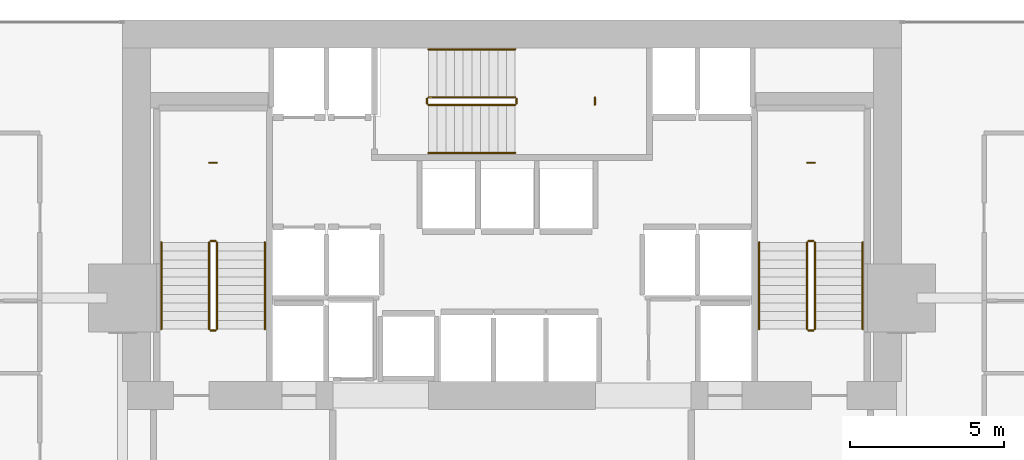
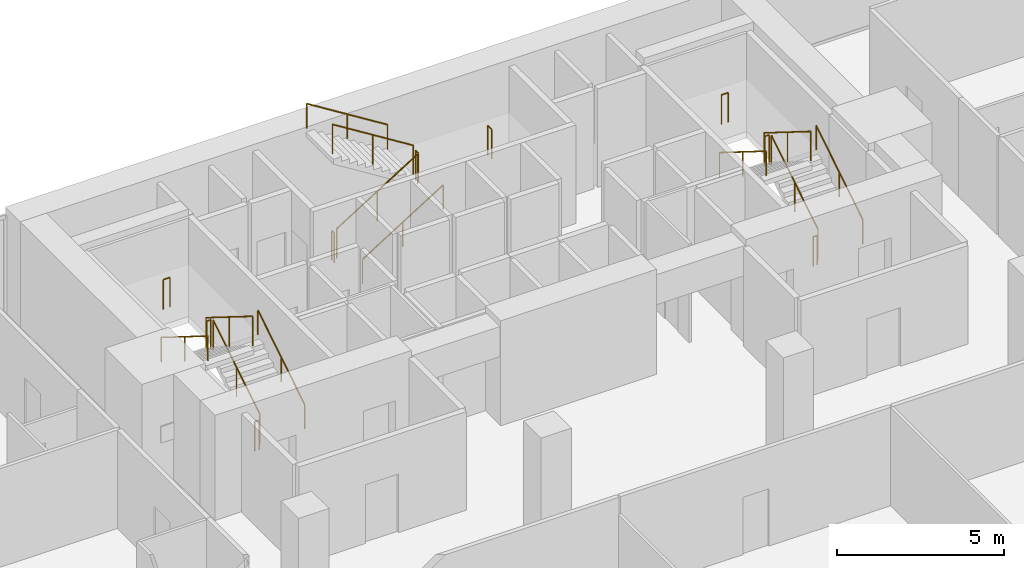
# One storey, part 40 of 40: 21 railings.
"""IFC4 building model written with IfcOpenShell, lengths in metres."""

from ifc_helpers import new_model, si_unit, direction, frame, origin, origin_2d, place, context, subcontext, project, spatial, circle, extrude, material, type_object, element, save


model = new_model("IFC4")

# Units and contexts
model_context = context("Model", 3, precision=1e-05, world=origin(), true_north=direction((0.0, 1.0)))
body_context = subcontext(model_context, "Body", "Model", "MODEL_VIEW")
ifc_project = project(units=[si_unit("LENGTHUNIT", "METRE"), si_unit("AREAUNIT", "SQUARE_METRE"), si_unit("VOLUMEUNIT", "CUBIC_METRE"), si_unit("PLANEANGLEUNIT", "RADIAN"), si_unit("MASSUNIT", "GRAM", prefix="KILO")], contexts=[model_context])

# Site, building, storey
site_placement = place(None, origin())
site = spatial("IfcSite", under=ifc_project, at=site_placement, CompositionType="ELEMENT")
building_placement = place(site_placement, origin())
building = spatial("IfcBuilding", under=site, at=building_placement, Name="Maruvema Waterfront Hotel and Observation Tower", CompositionType="ELEMENT")
storey_placement = place(building_placement, frame((0.0, 0.0, 57.75)))
storey = spatial("IfcBuildingStorey", under=building, at=storey_placement, Name="L13", CompositionType="ELEMENT", Elevation=57.75)

# Railings
ifc_material_1 = material(Name="Brushed stainless steel Grade 316", Category="steel")
railing_type_1 = type_object("IfcRailingType", Name="Ramp Continuous Wall Handrail 920 mm", PredefinedType="HANDRAIL", material=ifc_material_1)
railing_1_placement = place(storey_placement, frame((29.800048828125, 44.0, 0.175048828125)))
element("IfcRailing", 1, at=railing_1_placement, inside=storey, type_object=railing_type_1, Name="L13 ST-01 stair handrail 1", PredefinedType="HANDRAIL", context=body_context, shape_type="SweptSolid", body=[
    extrude(circle(Radius=0.02392578125, at=origin_2d()), frame((0.0, 0.0, 0.89599609375), z_axis=(0.0, 0.848002457836, 0.529992293815), x_axis=(-1.0, 0.0, 0.0)), (0.0, 0.0, 1.0), 3.302001953125),
    extrude(circle(Radius=0.02099609375, at=origin_2d()), origin(), (0.0, 0.0, 1.0), 0.871826171875),
    extrude(circle(Radius=0.02099609375, at=origin_2d()), frame((0.0, 1.39990234375, 0.875)), (0.0, 0.0, 1.0), 0.871826171875),
    extrude(circle(Radius=0.02099609375, at=origin_2d()), frame((0.0, 2.800048828125, 1.75)), (0.0, 0.0, 1.0), 0.871826171875),
])
railing_2_placement = place(storey_placement, frame((26.449951171875, 46.800048828125, 2.10009765625)))
element("IfcRailing", 2, at=railing_2_placement, inside=storey, type_object=railing_type_1, Name="L13 ST-01 stair handrail 2", PredefinedType="HANDRAIL", context=body_context, shape_type="SweptSolid", body=[
    extrude(circle(Radius=0.02392578125, at=origin_2d()), frame((0.0, 0.0, 0.89599609375), z_axis=(0.0, -0.848002457836, 0.529992293815), x_axis=(1.0, 0.0, 0.0)), (0.0, 0.0, 1.0), 3.302001953125),
    extrude(circle(Radius=0.02099609375, at=origin_2d()), origin(), (0.0, 0.0, 1.0), 0.871826171875),
    extrude(circle(Radius=0.02099609375, at=origin_2d()), frame((0.0, -1.39990234375, 0.875)), (0.0, 0.0, 1.0), 0.871826171875),
    extrude(circle(Radius=0.02099609375, at=origin_2d()), frame((0.0, -2.800048828125, 1.75)), (0.0, 0.0, 1.0), 0.871826171875),
])
railing_3_placement = place(storey_placement, frame((35.10009765625, 49.699951171875, 0.175048828125)))
element("IfcRailing", 3, at=railing_3_placement, inside=storey, type_object=railing_type_1, Name="L13 ST-02 stair handrail 1", PredefinedType="HANDRAIL", context=body_context, shape_type="SweptSolid", body=[
    extrude(circle(Radius=0.02392578125, at=origin_2d()), frame((0.0, 0.0, 0.89599609375), z_axis=(0.847981687118, 0.0, 0.530025526095), x_axis=(0.0, 1.0, 0.0)), (0.0, 0.0, 1.0), 3.3017578125),
    extrude(circle(Radius=0.02099609375, at=origin_2d()), origin(), (0.0, 0.0, 1.0), 0.871826171875),
    extrude(circle(Radius=0.02099609375, at=origin_2d()), frame((1.39990234375, 0.0, 0.875)), (0.0, 0.0, 1.0), 0.871826171875),
    extrude(circle(Radius=0.02099609375, at=origin_2d()), frame((2.7998046875, 0.0, 1.75)), (0.0, 0.0, 1.0), 0.871826171875),
])
railing_4_placement = place(storey_placement, frame((37.89990234375, 53.050048828125, 2.10009765625)))
element("IfcRailing", 4, at=railing_4_placement, inside=storey, type_object=railing_type_1, Name="L13 ST-02 stair handrail 2", PredefinedType="HANDRAIL", context=body_context, shape_type="SweptSolid", body=[
    extrude(circle(Radius=0.02392578125, at=origin_2d()), frame((0.0, 0.0, 0.89599609375), z_axis=(-0.847981687118, 0.0, 0.530025526095), x_axis=(0.0, -1.0, 0.0)), (0.0, 0.0, 1.0), 3.3017578125),
    extrude(circle(Radius=0.02099609375, at=origin_2d()), origin(), (0.0, 0.0, 1.0), 0.871826171875),
    extrude(circle(Radius=0.02099609375, at=origin_2d()), frame((-1.39990234375, 0.0, 0.875)), (0.0, 0.0, 1.0), 0.871826171875),
    extrude(circle(Radius=0.02099609375, at=origin_2d()), frame((-2.7998046875, 0.0, 1.75)), (0.0, 0.0, 1.0), 0.871826171875),
])
railing_5_placement = place(storey_placement, frame((49.14990234375, 44.0, 0.175048828125)))
element("IfcRailing", 5, at=railing_5_placement, inside=storey, type_object=railing_type_1, Name="L13 ST-03 stair handrail 1", PredefinedType="HANDRAIL", context=body_context, shape_type="SweptSolid", body=[
    extrude(circle(Radius=0.02392578125, at=origin_2d()), frame((0.0, 0.0, 0.89599609375), z_axis=(0.0, 0.848002457836, 0.529992293815), x_axis=(-1.0, 0.0, 0.0)), (0.0, 0.0, 1.0), 3.302001953125),
    extrude(circle(Radius=0.02099609375, at=origin_2d()), origin(), (0.0, 0.0, 1.0), 0.871826171875),
    extrude(circle(Radius=0.02099609375, at=origin_2d()), frame((0.0, 1.39990234375, 0.875)), (0.0, 0.0, 1.0), 0.871826171875),
    extrude(circle(Radius=0.02099609375, at=origin_2d()), frame((0.0, 2.800048828125, 1.75)), (0.0, 0.0, 1.0), 0.871826171875),
])
railing_6_placement = place(storey_placement, frame((45.800048828125, 46.800048828125, 2.10009765625)))
element("IfcRailing", 6, at=railing_6_placement, inside=storey, type_object=railing_type_1, Name="L13 ST-03 stair handrail 2", PredefinedType="HANDRAIL", context=body_context, shape_type="SweptSolid", body=[
    extrude(circle(Radius=0.02392578125, at=origin_2d()), frame((0.0, 0.0, 0.89599609375), z_axis=(0.0, -0.848002457836, 0.529992293815), x_axis=(1.0, 0.0, 0.0)), (0.0, 0.0, 1.0), 3.302001953125),
    extrude(circle(Radius=0.02099609375, at=origin_2d()), origin(), (0.0, 0.0, 1.0), 0.871826171875),
    extrude(circle(Radius=0.02099609375, at=origin_2d()), frame((0.0, -1.39990234375, 0.875)), (0.0, 0.0, 1.0), 0.871826171875),
    extrude(circle(Radius=0.02099609375, at=origin_2d()), frame((0.0, -2.800048828125, 1.75)), (0.0, 0.0, 1.0), 0.871826171875),
])
ifc_material_2 = material(Name="Brushed stainless steel Grade 316", Category="steel")
railing_type_2 = type_object("IfcRailingType", Name="Ramp and Terrace Guard Balustrade 1100 mm", PredefinedType="BALUSTRADE", material=ifc_material_2)
railing_7_placement = place(storey_placement, frame((28.25, 44.0, 0.175048828125)))
element("IfcRailing", 7, at=railing_7_placement, inside=storey, type_object=railing_type_2, Name="L13 ST-01 stair guard 1", PredefinedType="BALUSTRADE", context=body_context, shape_type="SweptSolid", body=[
    extrude(circle(Radius=0.02392578125, at=origin_2d()), frame((0.0, 0.0, 1.076171875), z_axis=(0.0, 0.848002457836, 0.529992293815), x_axis=(-1.0, 0.0, 0.0)), (0.0, 0.0, 1.0), 3.302001953125),
    extrude(circle(Radius=0.02099609375, at=origin_2d()), origin(), (0.0, 0.0, 1.0), 1.052001953125),
    extrude(circle(Radius=0.02099609375, at=origin_2d()), frame((0.0, 1.39990234375, 0.875)), (0.0, 0.0, 1.0), 1.052001953125),
    extrude(circle(Radius=0.02099609375, at=origin_2d()), frame((0.0, 2.800048828125, 1.75)), (0.0, 0.0, 1.0), 1.052001953125),
])
railing_8_placement = place(storey_placement, frame((28.199951171875, 46.85009765625, 1.925048828125)))
element("IfcRailing", 8, at=railing_8_placement, inside=storey, type_object=railing_type_2, Name="L13 ST-01 stair guard 2", PredefinedType="BALUSTRADE", context=body_context, shape_type="SweptSolid", body=[
    extrude(circle(Radius=0.02392578125, at=origin_2d()), frame((0.0, 0.0, 1.076171875), z_axis=(-1.0, 0.0, 0.0), x_axis=(0.0, -1.0, 0.0)), (0.0, 0.0, 1.0), 0.14990234375),
    extrude(circle(Radius=0.02099609375, at=origin_2d()), origin(), (0.0, 0.0, 1.0), 1.052001953125),
    extrude(circle(Radius=0.02099609375, at=origin_2d()), frame((-0.14990234375, 0.0, 0.0)), (0.0, 0.0, 1.0), 1.052001953125),
])
railing_9_placement = place(storey_placement, frame((28.0, 46.800048828125, 2.10009765625)))
element("IfcRailing", 9, at=railing_9_placement, inside=storey, type_object=railing_type_2, Name="L13 ST-01 stair guard 3", PredefinedType="BALUSTRADE", context=body_context, shape_type="SweptSolid", body=[
    extrude(circle(Radius=0.02392578125, at=origin_2d()), frame((0.0, 0.0, 1.076171875), z_axis=(0.0, -0.848002457836, 0.529992293815), x_axis=(1.0, 0.0, 0.0)), (0.0, 0.0, 1.0), 3.302001953125),
    extrude(circle(Radius=0.02099609375, at=origin_2d()), origin(), (0.0, 0.0, 1.0), 1.052001953125),
    extrude(circle(Radius=0.02099609375, at=origin_2d()), frame((0.0, -1.39990234375, 0.875)), (0.0, 0.0, 1.0), 1.052001953125),
    extrude(circle(Radius=0.02099609375, at=origin_2d()), frame((0.0, -2.800048828125, 1.75)), (0.0, 0.0, 1.0), 1.052001953125),
])
railing_10_placement = place(storey_placement, frame((28.199951171875, 43.949951171875, 0.0)))
element("IfcRailing", 10, at=railing_10_placement, inside=storey, type_object=railing_type_2, Name="L13 ST-01 stair guard 4", PredefinedType="BALUSTRADE", context=body_context, shape_type="SweptSolid", body=[
    extrude(circle(Radius=0.02392578125, at=origin_2d()), frame((0.0, 0.0, 1.076171875), z_axis=(-1.0, 0.0, 0.0), x_axis=(0.0, -1.0, 0.0)), (0.0, 0.0, 1.0), 0.14990234375),
    extrude(circle(Radius=0.02099609375, at=origin_2d()), origin(), (0.0, 0.0, 1.0), 1.052001953125),
    extrude(circle(Radius=0.02099609375, at=origin_2d()), frame((-0.14990234375, 0.0, 0.0)), (0.0, 0.0, 1.0), 1.052001953125),
])
railing_11_placement = place(storey_placement, frame((28.239990234375, 49.3798828125, 1.925048828125)))
element("IfcRailing", 11, at=railing_11_placement, inside=storey, type_object=railing_type_2, Name="L13 ST-01 Half-Landing Slot Guard", PredefinedType="BALUSTRADE", context=body_context, shape_type="SweptSolid", body=[
    extrude(circle(Radius=0.02392578125, at=origin_2d()), frame((0.0, 0.0, 1.076171875), z_axis=(-1.0, 0.0, 0.0), x_axis=(0.0, -1.0, 0.0)), (0.0, 0.0, 1.0), 0.22998046875),
    extrude(circle(Radius=0.02099609375, at=origin_2d()), origin(), (0.0, 0.0, 1.0), 1.052001953125),
    extrude(circle(Radius=0.02099609375, at=origin_2d()), frame((-0.22998046875, 0.0, 0.0)), (0.0, 0.0, 1.0), 1.052001953125),
])
railing_12_placement = place(storey_placement, frame((35.10009765625, 51.25, 0.175048828125)))
element("IfcRailing", 12, at=railing_12_placement, inside=storey, type_object=railing_type_2, Name="L13 ST-02 stair guard 1", PredefinedType="BALUSTRADE", context=body_context, shape_type="SweptSolid", body=[
    extrude(circle(Radius=0.02392578125, at=origin_2d()), frame((0.0, 0.0, 1.076171875), z_axis=(0.847981687118, 0.0, 0.530025526095), x_axis=(0.0, 1.0, 0.0)), (0.0, 0.0, 1.0), 3.3017578125),
    extrude(circle(Radius=0.02099609375, at=origin_2d()), origin(), (0.0, 0.0, 1.0), 1.052001953125),
    extrude(circle(Radius=0.02099609375, at=origin_2d()), frame((1.39990234375, 0.0, 0.875)), (0.0, 0.0, 1.0), 1.052001953125),
    extrude(circle(Radius=0.02099609375, at=origin_2d()), frame((2.7998046875, 0.0, 1.75)), (0.0, 0.0, 1.0), 1.052001953125),
])
railing_13_placement = place(storey_placement, frame((37.949951171875, 51.300048828125, 1.925048828125)))
element("IfcRailing", 13, at=railing_13_placement, inside=storey, type_object=railing_type_2, Name="L13 ST-02 stair guard 2", PredefinedType="BALUSTRADE", context=body_context, shape_type="SweptSolid", body=[
    extrude(circle(Radius=0.02392578125, at=origin_2d()), frame((0.0, 0.0, 1.076171875), z_axis=(0.0, 1.0, 0.0), x_axis=(-1.0, 0.0, 0.0)), (0.0, 0.0, 1.0), 0.14990234375),
    extrude(circle(Radius=0.02099609375, at=origin_2d()), origin(), (0.0, 0.0, 1.0), 1.052001953125),
    extrude(circle(Radius=0.02099609375, at=origin_2d()), frame((0.0, 0.14990234375, 0.0)), (0.0, 0.0, 1.0), 1.052001953125),
])
railing_14_placement = place(storey_placement, frame((37.89990234375, 51.5, 2.10009765625)))
element("IfcRailing", 14, at=railing_14_placement, inside=storey, type_object=railing_type_2, Name="L13 ST-02 stair guard 3", PredefinedType="BALUSTRADE", context=body_context, shape_type="SweptSolid", body=[
    extrude(circle(Radius=0.02392578125, at=origin_2d()), frame((0.0, 0.0, 1.076171875), z_axis=(-0.847981687118, 0.0, 0.530025526095), x_axis=(0.0, -1.0, 0.0)), (0.0, 0.0, 1.0), 3.3017578125),
    extrude(circle(Radius=0.02099609375, at=origin_2d()), origin(), (0.0, 0.0, 1.0), 1.052001953125),
    extrude(circle(Radius=0.02099609375, at=origin_2d()), frame((-1.39990234375, 0.0, 0.875)), (0.0, 0.0, 1.0), 1.052001953125),
    extrude(circle(Radius=0.02099609375, at=origin_2d()), frame((-2.7998046875, 0.0, 1.75)), (0.0, 0.0, 1.0), 1.052001953125),
])
railing_15_placement = place(storey_placement, frame((35.050048828125, 51.300048828125, 0.0)))
element("IfcRailing", 15, at=railing_15_placement, inside=storey, type_object=railing_type_2, Name="L13 ST-02 stair guard 4", PredefinedType="BALUSTRADE", context=body_context, shape_type="SweptSolid", body=[
    extrude(circle(Radius=0.02392578125, at=origin_2d()), frame((0.0, 0.0, 1.076171875), z_axis=(0.0, 1.0, 0.0), x_axis=(-1.0, 0.0, 0.0)), (0.0, 0.0, 1.0), 0.14990234375),
    extrude(circle(Radius=0.02099609375, at=origin_2d()), origin(), (0.0, 0.0, 1.0), 1.052001953125),
    extrude(circle(Radius=0.02099609375, at=origin_2d()), frame((0.0, 0.14990234375, 0.0)), (0.0, 0.0, 1.0), 1.052001953125),
])
railing_16_placement = place(storey_placement, frame((40.47998046875, 51.260009765625, 1.925048828125)))
element("IfcRailing", 16, at=railing_16_placement, inside=storey, type_object=railing_type_2, Name="L13 ST-02 Half-Landing Slot Guard", PredefinedType="BALUSTRADE", context=body_context, shape_type="SweptSolid", body=[
    extrude(circle(Radius=0.02392578125, at=origin_2d()), frame((0.0, 0.0, 1.076171875), z_axis=(0.0, 1.0, 0.0), x_axis=(-1.0, 0.0, 0.0)), (0.0, 0.0, 1.0), 0.22998046875),
    extrude(circle(Radius=0.02099609375, at=origin_2d()), origin(), (0.0, 0.0, 1.0), 1.052001953125),
    extrude(circle(Radius=0.02099609375, at=origin_2d()), frame((0.0, 0.22998046875, 0.0)), (0.0, 0.0, 1.0), 1.052001953125),
])
railing_17_placement = place(storey_placement, frame((47.60009765625, 44.0, 0.175048828125)))
element("IfcRailing", 17, at=railing_17_placement, inside=storey, type_object=railing_type_2, Name="L13 ST-03 stair guard 1", PredefinedType="BALUSTRADE", context=body_context, shape_type="SweptSolid", body=[
    extrude(circle(Radius=0.02392578125, at=origin_2d()), frame((0.0, 0.0, 1.076171875), z_axis=(0.0, 0.848002457836, 0.529992293815), x_axis=(-1.0, 0.0, 0.0)), (0.0, 0.0, 1.0), 3.302001953125),
    extrude(circle(Radius=0.02099609375, at=origin_2d()), origin(), (0.0, 0.0, 1.0), 1.052001953125),
    extrude(circle(Radius=0.02099609375, at=origin_2d()), frame((0.0, 1.39990234375, 0.875)), (0.0, 0.0, 1.0), 1.052001953125),
    extrude(circle(Radius=0.02099609375, at=origin_2d()), frame((0.0, 2.800048828125, 1.75)), (0.0, 0.0, 1.0), 1.052001953125),
])
railing_18_placement = place(storey_placement, frame((47.550048828125, 46.85009765625, 1.925048828125)))
element("IfcRailing", 18, at=railing_18_placement, inside=storey, type_object=railing_type_2, Name="L13 ST-03 stair guard 2", PredefinedType="BALUSTRADE", context=body_context, shape_type="SweptSolid", body=[
    extrude(circle(Radius=0.02392578125, at=origin_2d()), frame((0.0, 0.0, 1.076171875), z_axis=(-1.0, 0.0, 0.0), x_axis=(0.0, -1.0, 0.0)), (0.0, 0.0, 1.0), 0.150146484375),
    extrude(circle(Radius=0.02099609375, at=origin_2d()), origin(), (0.0, 0.0, 1.0), 1.052001953125),
    extrude(circle(Radius=0.02099609375, at=origin_2d()), frame((-0.150146484375, 0.0, 0.0)), (0.0, 0.0, 1.0), 1.052001953125),
])
railing_19_placement = place(storey_placement, frame((47.35009765625, 46.800048828125, 2.10009765625)))
element("IfcRailing", 19, at=railing_19_placement, inside=storey, type_object=railing_type_2, Name="L13 ST-03 stair guard 3", PredefinedType="BALUSTRADE", context=body_context, shape_type="SweptSolid", body=[
    extrude(circle(Radius=0.02392578125, at=origin_2d()), frame((0.0, 0.0, 1.076171875), z_axis=(0.0, -0.848002457836, 0.529992293815), x_axis=(1.0, 0.0, 0.0)), (0.0, 0.0, 1.0), 3.302001953125),
    extrude(circle(Radius=0.02099609375, at=origin_2d()), origin(), (0.0, 0.0, 1.0), 1.052001953125),
    extrude(circle(Radius=0.02099609375, at=origin_2d()), frame((0.0, -1.39990234375, 0.875)), (0.0, 0.0, 1.0), 1.052001953125),
    extrude(circle(Radius=0.02099609375, at=origin_2d()), frame((0.0, -2.800048828125, 1.75)), (0.0, 0.0, 1.0), 1.052001953125),
])
railing_20_placement = place(storey_placement, frame((47.550048828125, 43.949951171875, 0.0)))
element("IfcRailing", 20, at=railing_20_placement, inside=storey, type_object=railing_type_2, Name="L13 ST-03 stair guard 4", PredefinedType="BALUSTRADE", context=body_context, shape_type="SweptSolid", body=[
    extrude(circle(Radius=0.02392578125, at=origin_2d()), frame((0.0, 0.0, 1.076171875), z_axis=(-1.0, 0.0, 0.0), x_axis=(0.0, -1.0, 0.0)), (0.0, 0.0, 1.0), 0.150146484375),
    extrude(circle(Radius=0.02099609375, at=origin_2d()), origin(), (0.0, 0.0, 1.0), 1.052001953125),
    extrude(circle(Radius=0.02099609375, at=origin_2d()), frame((-0.150146484375, 0.0, 0.0)), (0.0, 0.0, 1.0), 1.052001953125),
])
railing_21_placement = place(storey_placement, frame((47.590087890625, 49.3798828125, 1.925048828125)))
element("IfcRailing", 21, at=railing_21_placement, inside=storey, type_object=railing_type_2, Name="L13 ST-03 Half-Landing Slot Guard", PredefinedType="BALUSTRADE", context=body_context, shape_type="SweptSolid", body=[
    extrude(circle(Radius=0.02392578125, at=origin_2d()), frame((0.0, 0.0, 1.076171875), z_axis=(-1.0, 0.0, 0.0), x_axis=(0.0, -1.0, 0.0)), (0.0, 0.0, 1.0), 0.22998046875),
    extrude(circle(Radius=0.02099609375, at=origin_2d()), origin(), (0.0, 0.0, 1.0), 1.052001953125),
    extrude(circle(Radius=0.02099609375, at=origin_2d()), frame((-0.22998046875, 0.0, 0.0)), (0.0, 0.0, 1.0), 1.052001953125),
])

save(model, "model.ifc")
